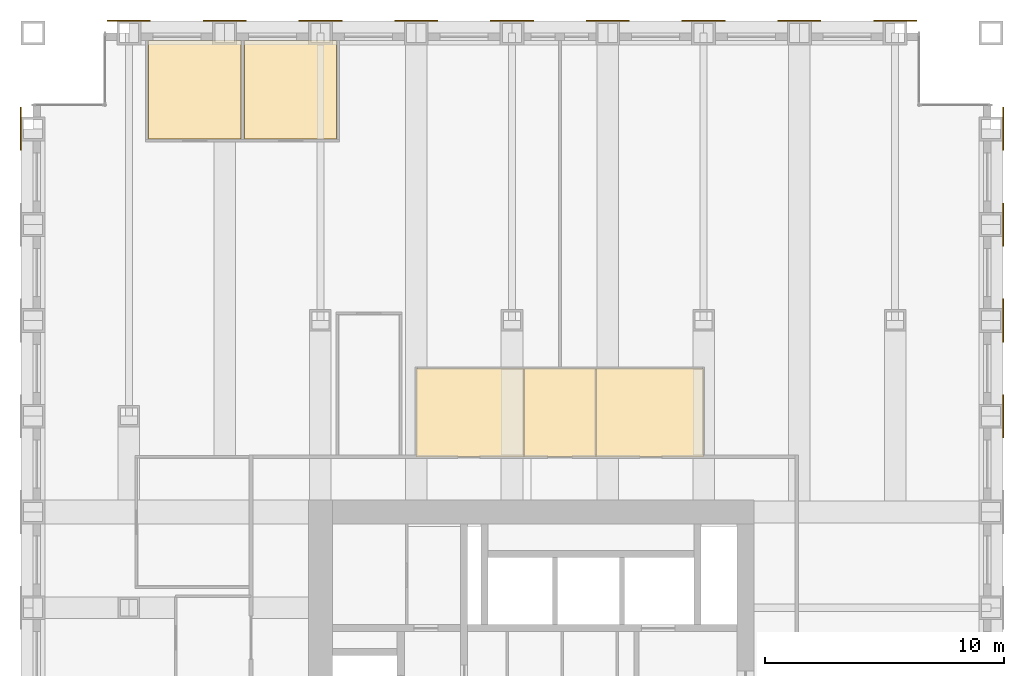
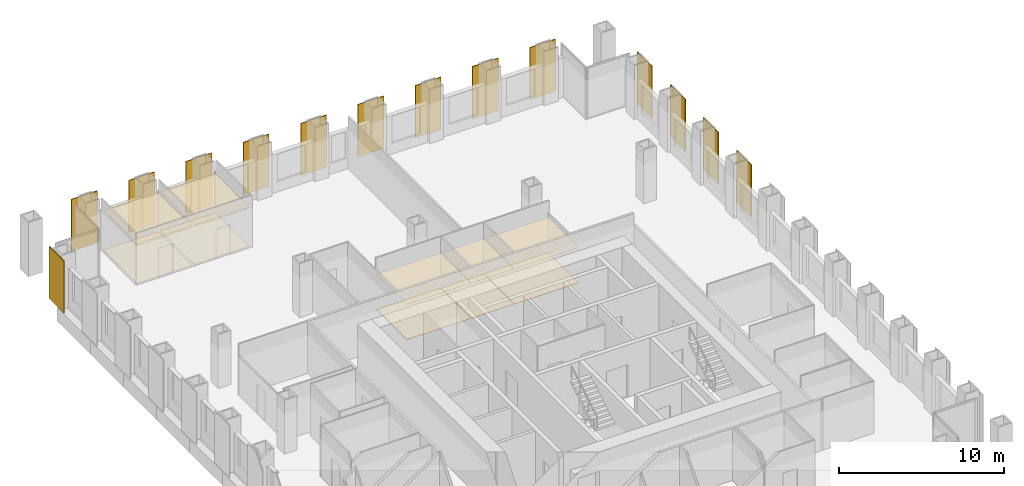
# One storey, part 14 of 14: 14 shading devices, 10 coverings.
"""IFC4 building model written with IfcOpenShell, lengths in metres."""

import ifcopenshell
import ifcopenshell.guid

model = None  # the IFC model being written
_history = None  # IfcOwnerHistory: only IFC2X3 demands one
_inside = {}  # id of a spatial element -> (the spatial element, [elements in it])
_under = {}  # id of a project, library or spatial element -> (it, [spatial elements below it])
_declared = {}  # id of a project -> (the project, [libraries it declares])
_typed = {}  # id of a type object -> (the type object, [elements of that type])
_made_of = {}  # id of a material, layer set ... -> (it, [elements and type objects made of it])


def new_model(schema):
    """Start an empty IFC model of exactly this schema.

    Asked for "IFC4X3", IfcOpenShell would pick the latest addendum, in which some entities
    have other attributes; the version numbers below select the first issue.
    IFC2X3 requires an IfcOwnerHistory on every rooted entity: one is made here for all.
    """
    global model, _history
    if schema == "IFC4X3":
        model = ifcopenshell.file(schema_version=(4, 3, 0, 0))
    else:
        model = ifcopenshell.file(schema=schema)
    _inside.clear()
    _under.clear()
    _declared.clear()
    _typed.clear()
    _made_of.clear()
    _history = None
    if model.schema == "IFC2X3":
        org = make("IfcOrganization", Name="unknown")
        user = make(
            "IfcPersonAndOrganization",
            ThePerson=make("IfcPerson", FamilyName="unknown"),
            TheOrganization=org,
        )
        app = make(
            "IfcApplication",
            ApplicationDeveloper=org,
            Version="unknown",
            ApplicationFullName="unknown",
            ApplicationIdentifier="unknown",
        )
        _history = make(
            "IfcOwnerHistory",
            OwningUser=user,
            OwningApplication=app,
            ChangeAction="ADDED",
            CreationDate=0,
        )
    return model


def make(cls, **values):
    """One entity of the class cls with the attributes given. An attribute that is None is left unset."""
    return model.create_entity(
        cls, **{name: value for name, value in values.items() if value is not None}
    )


def rooted(cls, **values):
    """An entity with a GlobalId (a new one), such as an element, a storey or a relation."""
    return make(cls, GlobalId=ifcopenshell.guid.new(), OwnerHistory=_history, **values)


def si_unit(unit_type, name, prefix=None):
    """IfcSIUnit, for example si_unit("LENGTHUNIT", "METRE", prefix="MILLI")."""
    return make("IfcSIUnit", UnitType=unit_type, Prefix=prefix, Name=name)


def assignment(units):
    """IfcUnitAssignment: the units of a project."""
    return None if units is None else make("IfcUnitAssignment", Units=units)


def point(xyz):
    """IfcCartesianPoint."""
    return None if xyz is None else make("IfcCartesianPoint", Coordinates=xyz)


def direction(xyz):
    """IfcDirection."""
    return None if xyz is None else make("IfcDirection", DirectionRatios=xyz)


def frame(location, z_axis=None, x_axis=None):
    """IfcAxis2Placement3D, a coordinate frame: its origin and axes. An axis left out is left unset."""
    return make(
        "IfcAxis2Placement3D",
        Location=point(location),
        Axis=direction(z_axis),
        RefDirection=direction(x_axis),
    )


def frame_2d(location, x_axis=None):
    """IfcAxis2Placement2D, a coordinate frame in the plane: its origin and x axis."""
    return make(
        "IfcAxis2Placement2D", Location=point(location), RefDirection=direction(x_axis)
    )


def origin():
    """The frame at (0, 0, 0) with its axes left unset."""
    return frame((0.0, 0.0, 0.0))


def origin_2d():
    """The frame at (0, 0) in the plane with its x axis left unset."""
    return frame_2d((0.0, 0.0))


def place(relative_to, where):
    """IfcLocalPlacement: puts the frame where relative to a parent placement (None: the world)."""
    return make(
        "IfcLocalPlacement", PlacementRelTo=relative_to, RelativePlacement=where
    )


def context(
    kind, dimensions, precision=None, world=None, true_north=None, identifier=None
):
    """IfcGeometricRepresentationContext, for example the 3D "Model" context."""
    return make(
        "IfcGeometricRepresentationContext",
        ContextIdentifier=identifier,
        ContextType=kind,
        CoordinateSpaceDimension=dimensions,
        Precision=precision,
        WorldCoordinateSystem=world,
        TrueNorth=true_north,
    )


def subcontext(parent, identifier, kind, view, scale=None):
    """IfcGeometricRepresentationSubContext, for example "Body" below "Model"."""
    return make(
        "IfcGeometricRepresentationSubContext",
        ContextIdentifier=identifier,
        ContextType=kind,
        ParentContext=parent,
        TargetScale=scale,
        TargetView=view,
    )


def project(units=None, contexts=None):
    """IfcProject with its units and contexts."""
    return rooted(
        "IfcProject",
        Name="project",
        RepresentationContexts=contexts,
        UnitsInContext=assignment(units),
    )


def spatial(cls, under=None, at=None, **own):
    """A site, building, storey or space (cls), placed at a placement, below another one or the project."""
    s = rooted(cls, ObjectPlacement=at, **own)
    if under is not None:
        _under.setdefault(under.id(), (under, []))[1].append(s)
    return s


def polyline(points):
    """IfcPolyline through the points."""
    return make("IfcPolyline", Points=[point(p) for p in points])


def profile(cls, at=None, kind="AREA", **sizes):
    """A parametric profile (cls). Its sizes go by their IFC names, for example OverallWidth=200.0."""
    return make(cls, ProfileType=kind, Position=at, **sizes)


def rectangle(**sizes):
    """IfcRectangleProfileDef."""
    return profile("IfcRectangleProfileDef", **sizes)


def outline(outer, holes=None, kind="AREA"):
    """IfcArbitraryClosedProfileDef: a profile drawn as a closed curve; with holes, ...WithVoids."""
    if holes is None:
        return make("IfcArbitraryClosedProfileDef", ProfileType=kind, OuterCurve=outer)
    return make(
        "IfcArbitraryProfileDefWithVoids",
        ProfileType=kind,
        OuterCurve=outer,
        InnerCurves=holes,
    )


def extrude(swept, where, along, depth):
    """IfcExtrudedAreaSolid: the profile swept, set in the frame where, extruded along a direction by depth."""
    return make(
        "IfcExtrudedAreaSolid",
        SweptArea=swept,
        Position=where,
        ExtrudedDirection=direction(along),
        Depth=depth,
    )


def shape(context_of_items, identifier, shape_type, items):
    """IfcShapeRepresentation: the items that make up one representation, for example the "Body"."""
    return make(
        "IfcShapeRepresentation",
        ContextOfItems=context_of_items,
        RepresentationIdentifier=identifier,
        RepresentationType=shape_type,
        Items=items,
    )


def material(Name=None, Category=None):
    """IfcMaterial."""
    return make("IfcMaterial", Name=Name, Category=Category)


def layer(
    of_material, thickness, ventilated=None, Name=None, Category=None, Priority=None
):
    """IfcMaterialLayer: one layer of a wall or slab, of a material (None: an air gap)."""
    return make(
        "IfcMaterialLayer",
        Material=of_material,
        LayerThickness=thickness,
        IsVentilated=ventilated,
        Name=Name,
        Category=Category,
        Priority=Priority,
    )


def layer_set(layers, Name=None):
    """IfcMaterialLayerSet."""
    return make("IfcMaterialLayerSet", MaterialLayers=layers, LayerSetName=Name)


def made_of(thing, what):
    """Note that an element or type object is made of a material, layer set ...; save() writes the relation."""
    if what is not None:
        _made_of.setdefault(what.id(), (what, []))[1].append(thing)
    return thing


def type_object(cls, material=None, **own):
    """A type object (cls), such as IfcWallType, which elements share."""
    return made_of(rooted(cls, **own), material)


def element(
    cls,
    number,
    at=None,
    inside=None,
    cuts=None,
    type_object=None,
    material=None,
    context=None,
    identifier="Body",
    shape_type=None,
    held_by="IfcProductDefinitionShape",
    body=None,
    shapes=None,
    **own,
):
    """One element of the class cls, such as IfcWall. Its Tag is "e" and its number.

    at: its placement. inside: the storey or other place that contains it. cuts: it is an
    opening in that element (IfcRelVoidsElement). A single representation is given by context,
    identifier, shape_type and body (its items); several are given by shapes. held_by: the class
    of the entity that holds the representations. save() writes the other relations.
    """
    e = rooted(cls, Tag="e%d" % number, ObjectPlacement=at, **own)
    if body is not None:
        shapes = [shape(context, identifier, shape_type, body)]
    if shapes is not None:
        e.Representation = make(held_by, Representations=shapes)
    if inside is not None:
        _inside.setdefault(inside.id(), (inside, []))[1].append(e)
    if cuts is not None:
        rooted(
            "IfcRelVoidsElement", RelatingBuildingElement=cuts, RelatedOpeningElement=e
        )
    if type_object is not None:
        _typed.setdefault(type_object.id(), (type_object, []))[1].append(e)
    return made_of(e, material)


def aggregate(whole, parts):
    """IfcRelAggregates: a whole, such as a stair, and the parts it consists of."""
    return rooted("IfcRelAggregates", RelatingObject=whole, RelatedObjects=parts)


def save(model, path):
    """Write the relations noted so far, then the file.

    IfcRelAggregates (storeys below a building ...), IfcRelContainedInSpatialStructure (elements
    in a storey), IfcRelDefinesByType, IfcRelAssociatesMaterial and IfcRelDeclares: one each for
    every whole, place, type object, material and project.
    """
    for whole, parts in _under.values():
        aggregate(whole, parts)
    for where, things in _inside.values():
        rooted(
            "IfcRelContainedInSpatialStructure",
            RelatedElements=things,
            RelatingStructure=where,
        )
    for kind, things in _typed.values():
        rooted("IfcRelDefinesByType", RelatedObjects=things, RelatingType=kind)
    for what, things in _made_of.values():
        rooted("IfcRelAssociatesMaterial", RelatedObjects=things, RelatingMaterial=what)
    for by, libraries in _declared.values():
        rooted("IfcRelDeclares", RelatingContext=by, RelatedDefinitions=libraries)
    model.write(path)


model = new_model("IFC4")

# Units and contexts
model_context = context("Model", 3, precision=1e-05, world=origin(), true_north=direction((0.0, 1.0)))
body_context = subcontext(model_context, "Body", "Model", "MODEL_VIEW")
ifc_project = project(units=[si_unit("LENGTHUNIT", "METRE"), si_unit("AREAUNIT", "SQUARE_METRE"), si_unit("VOLUMEUNIT", "CUBIC_METRE"), si_unit("PLANEANGLEUNIT", "RADIAN"), si_unit("MASSUNIT", "GRAM", prefix="KILO")], contexts=[model_context])

# Site, building, storey
site_placement = place(None, origin())
site = spatial("IfcSite", under=ifc_project, at=site_placement, CompositionType="ELEMENT")
building_placement = place(site_placement, origin())
building = spatial("IfcBuilding", under=site, at=building_placement, Name="Rimbunsela Tower", CompositionType="ELEMENT")
storey_placement = place(building_placement, frame((0.0, 0.0, 179.800048828125)))
storey = spatial("IfcBuildingStorey", under=building, at=storey_placement, Name="L43", CompositionType="ELEMENT", Elevation=179.800048828125)

# Coverings
ifc_material_1 = material(Name="Nylon carpet tile", Category="textile")
ifc_layer_1 = layer(ifc_material_1, 0.010009765625)
ifc_layer_set_1 = layer_set([ifc_layer_1], Name="Carpet tile 10")
covering_type_1 = type_object("IfcCoveringType", Name="Carpet tile 10", PredefinedType="FLOORING", material=ifc_layer_set_1)
covering_1_placement = place(storey_placement, origin())
element("IfcCovering", 1, at=covering_1_placement, inside=storey, type_object=covering_type_1, Name="Floor finish Executive office", PredefinedType="FLOORING", context=body_context, shape_type="SweptSolid", body=[
    extrude(outline(polyline([(14.675048828125, 51.574951171875), (14.675048828125, 55.699951171875), (10.824951171875, 55.699951171875), (10.824951171875, 51.574951171875), (14.675048828125, 51.574951171875)])), origin(), (0.0, 0.0, 1.0), 0.010009765625),
])
covering_2_placement = place(storey_placement, origin())
element("IfcCovering", 2, at=covering_2_placement, inside=storey, type_object=covering_type_1, Name="Floor finish Executive office", PredefinedType="FLOORING", context=body_context, shape_type="SweptSolid", body=[
    extrude(outline(polyline([(18.675048828125, 51.574951171875), (18.675048828125, 55.699951171875), (14.824951171875, 55.699951171875), (14.824951171875, 51.574951171875), (18.675048828125, 51.574951171875)])), origin(), (0.0, 0.0, 1.0), 0.010009765625),
])
ifc_material_2 = material(Name="Mineral fibre ceiling tile", Category="gypsum")
ifc_layer_2 = layer(ifc_material_2, 0.02001953125)
ifc_layer_set_2 = layer_set([ifc_layer_2], Name="Ceiling 600 grid")
covering_type_2 = type_object("IfcCoveringType", Name="Ceiling 600 grid", PredefinedType="CEILING", material=ifc_layer_set_2)
covering_3_placement = place(storey_placement, frame((0.0, 0.0, 2.89990234375)))
element("IfcCovering", 3, at=covering_3_placement, inside=storey, type_object=covering_type_2, Name="Ceiling Executive office", PredefinedType="CEILING", context=body_context, shape_type="SweptSolid", body=[
    extrude(outline(polyline([(14.675048828125, 51.574951171875), (14.675048828125, 55.699951171875), (10.824951171875, 55.699951171875), (10.824951171875, 51.574951171875), (14.675048828125, 51.574951171875)])), origin(), (0.0, 0.0, 1.0), 0.02001953125),
])
covering_4_placement = place(storey_placement, frame((0.0, 0.0, 2.89990234375)))
element("IfcCovering", 4, at=covering_4_placement, inside=storey, type_object=covering_type_2, Name="Ceiling Executive office", PredefinedType="CEILING", context=body_context, shape_type="SweptSolid", body=[
    extrude(outline(polyline([(18.675048828125, 51.574951171875), (18.675048828125, 55.699951171875), (14.824951171875, 55.699951171875), (14.824951171875, 51.574951171875), (18.675048828125, 51.574951171875)])), origin(), (0.0, 0.0, 1.0), 0.02001953125),
])
ifc_material_3 = material(Name="Moisture-resistant plasterboard ceiling", Category="gypsum")
ifc_layer_3 = layer(ifc_material_3, 0.012451171875)
ifc_layer_set_3 = layer_set([ifc_layer_3], Name="Ceiling moisture-resistant board")
covering_type_3 = type_object("IfcCoveringType", Name="Ceiling moisture-resistant board", PredefinedType="CEILING", material=ifc_layer_set_3)
covering_5_placement = place(storey_placement, frame((0.0, 0.0, 2.599853515625)))
element("IfcCovering", 5, at=covering_5_placement, inside=storey, type_object=covering_type_3, Name="Ceiling Female WC", PredefinedType="CEILING", context=body_context, shape_type="SweptSolid", body=[
    extrude(outline(polyline([(26.5, 38.300048828125), (26.5, 42.0), (22.0, 42.0), (22.0, 38.300048828125), (26.5, 38.300048828125)])), origin(), (0.0, 0.0, 1.0), 0.02001953125),
])
covering_6_placement = place(storey_placement, frame((0.0, 0.0, 2.599853515625)))
element("IfcCovering", 6, at=covering_6_placement, inside=storey, type_object=covering_type_3, Name="Ceiling Accessible WC", PredefinedType="CEILING", context=body_context, shape_type="SweptSolid", body=[
    extrude(outline(polyline([(29.5, 38.300048828125), (29.5, 42.0), (26.5, 42.0), (26.5, 38.300048828125), (29.5, 38.300048828125)])), origin(), (0.0, 0.0, 1.0), 0.02001953125),
])
covering_7_placement = place(storey_placement, frame((0.0, 0.0, 2.599853515625)))
element("IfcCovering", 7, at=covering_7_placement, inside=storey, type_object=covering_type_3, Name="Ceiling Male WC", PredefinedType="CEILING", context=body_context, shape_type="SweptSolid", body=[
    extrude(outline(polyline([(34.0, 38.300048828125), (34.0, 42.0), (29.5, 42.0), (29.5, 38.300048828125), (34.0, 38.300048828125)])), origin(), (0.0, 0.0, 1.0), 0.02001953125),
])
ifc_material_4 = material(Name="Porcelain floor tile in adhesive bed", Category="ceramic")
ifc_layer_4 = layer(ifc_material_4, 0.02001953125)
ifc_layer_set_4 = layer_set([ifc_layer_4], Name="Porcelain tile 20")
covering_type_4 = type_object("IfcCoveringType", Name="Porcelain tile 20", PredefinedType="FLOORING", material=ifc_layer_set_4)
covering_8_placement = place(storey_placement, origin())
element("IfcCovering", 8, at=covering_8_placement, inside=storey, type_object=covering_type_4, Name="Floor finish Female WC", PredefinedType="FLOORING", context=body_context, shape_type="SweptSolid", body=[
    extrude(outline(polyline([(26.5, 38.300048828125), (26.5, 42.0), (22.0, 42.0), (22.0, 38.300048828125), (26.5, 38.300048828125)])), origin(), (0.0, 0.0, 1.0), 0.02001953125),
])
covering_9_placement = place(storey_placement, origin())
element("IfcCovering", 9, at=covering_9_placement, inside=storey, type_object=covering_type_4, Name="Floor finish Accessible WC", PredefinedType="FLOORING", context=body_context, shape_type="SweptSolid", body=[
    extrude(outline(polyline([(29.5, 38.300048828125), (29.5, 42.0), (26.5, 42.0), (26.5, 38.300048828125), (29.5, 38.300048828125)])), origin(), (0.0, 0.0, 1.0), 0.02001953125),
])
covering_10_placement = place(storey_placement, origin())
element("IfcCovering", 10, at=covering_10_placement, inside=storey, type_object=covering_type_4, Name="Floor finish Male WC", PredefinedType="FLOORING", context=body_context, shape_type="SweptSolid", body=[
    extrude(outline(polyline([(34.0, 38.300048828125), (34.0, 42.0), (29.5, 42.0), (29.5, 38.300048828125), (34.0, 38.300048828125)])), origin(), (0.0, 0.0, 1.0), 0.02001953125),
])

# Shading devices
ifc_material_5 = material(Name="Perforated aluminium, 35 % open area", Category="aluminium")
ifc_layer_5 = layer(ifc_material_5, 0.050048828125)
ifc_layer_set_5 = layer_set([ifc_layer_5], Name="Solar screen panel 1800")
shading_device_type = type_object("IfcShadingDeviceType", Name="Solar screen panel 1800", PredefinedType="USERDEFINED", material=ifc_layer_set_5)
for number, where, z_axis, x_axis, name in (
    (11, (46.52490234375, 40.0, 0.0), (0.0, 0.0, 1.0), (0.0, 1.0, 0.0), "Solar screen E L43"),
    (12, (46.52490234375, 44.0, 0.0), (0.0, 0.0, 1.0), (0.0, 1.0, 0.0), "Solar screen E L43"),
    (13, (46.52490234375, 48.0, 0.0), (0.0, 0.0, 1.0), (0.0, 1.0, 0.0), "Solar screen E L43"),
    (14, (46.52490234375, 52.0, 0.0), (0.0, 0.0, 1.0), (0.0, 1.0, 0.0), "Solar screen E L43"),
    (15, (10.0, 56.52490234375, 0.0), (0.0, 0.0, 1.0), (1.0, 0.0, 0.0), "Solar screen N L43"),
    (16, (14.0, 56.52490234375, 0.0), (0.0, 0.0, 1.0), (1.0, 0.0, 0.0), "Solar screen N L43"),
    (17, (18.0, 56.52490234375, 0.0), (0.0, 0.0, 1.0), (1.0, 0.0, 0.0), "Solar screen N L43"),
    (18, (22.0, 56.52490234375, 0.0), (0.0, 0.0, 1.0), (1.0, 0.0, 0.0), "Solar screen N L43"),
    (19, (26.0, 56.52490234375, 0.0), (0.0, 0.0, 1.0), (1.0, 0.0, 0.0), "Solar screen N L43"),
    (20, (30.0, 56.52490234375, 0.0), (0.0, 0.0, 1.0), (1.0, 0.0, 0.0), "Solar screen N L43"),
    (21, (34.0, 56.52490234375, 0.0), (0.0, 0.0, 1.0), (1.0, 0.0, 0.0), "Solar screen N L43"),
    (22, (38.0, 56.52490234375, 0.0), (0.0, 0.0, 1.0), (1.0, 0.0, 0.0), "Solar screen N L43"),
    (23, (42.0, 56.52490234375, 0.0), (0.0, 0.0, 1.0), (1.0, 0.0, 0.0), "Solar screen N L43"),
    (24, (5.47509765625, 52.0, 0.0), (0.0, 0.0, 1.0), (0.0, 1.0, 0.0), "Solar screen W L43"),
):
    element("IfcShadingDevice", number, at=place(storey_placement, frame(where, z_axis=z_axis, x_axis=x_axis)), inside=storey, type_object=shading_device_type, Name=name, ObjectType="SCREEN", PredefinedType="USERDEFINED", context=body_context, shape_type="SweptSolid", body=[
        extrude(rectangle(XDim=1.800048828125, YDim=0.050048828125, at=origin_2d()), origin(), (0.0, 0.0, 1.0), 3.85009765625),
    ])

save(model, "model.ifc")
